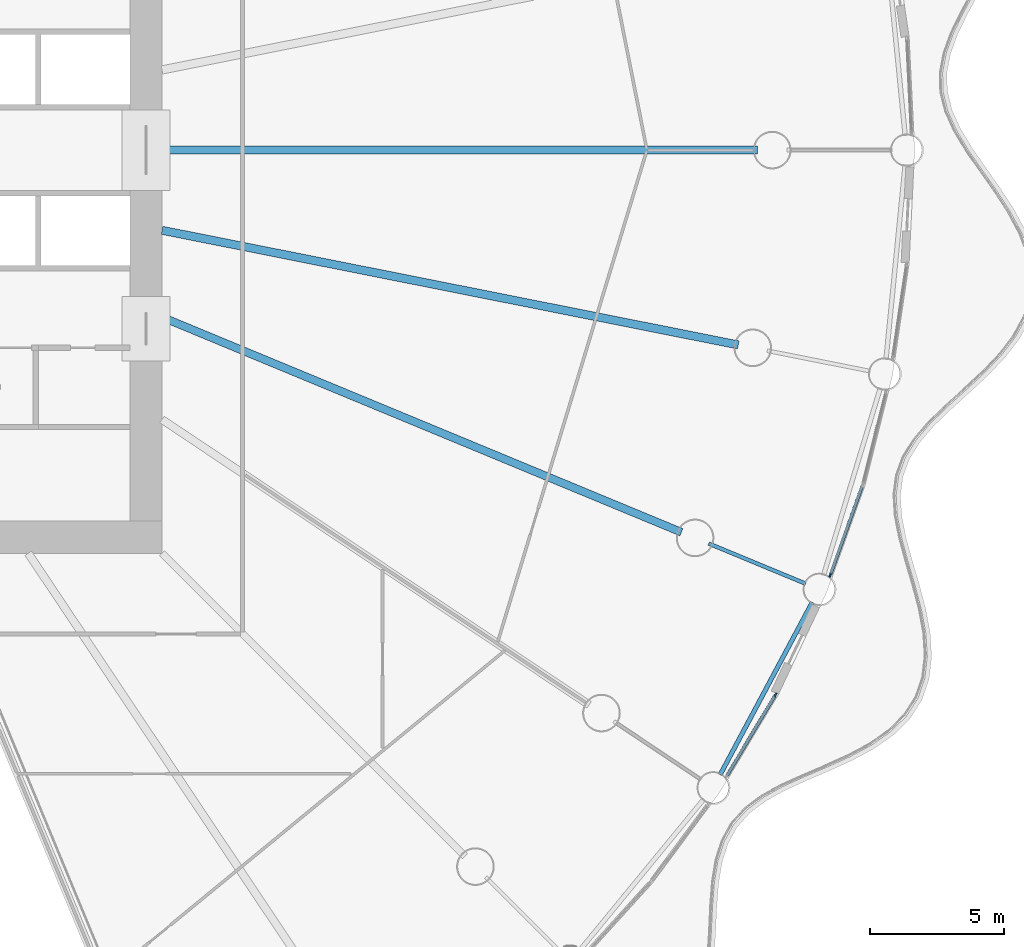
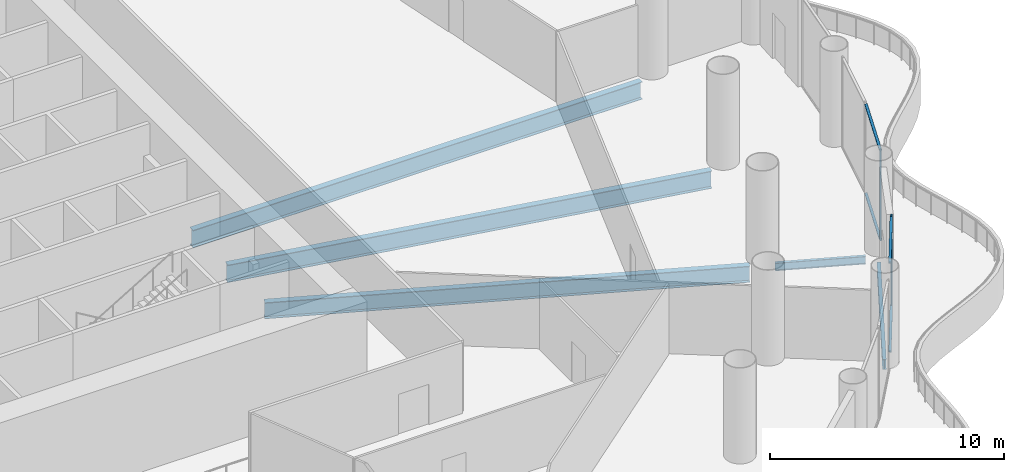
# One storey, part 12 of 36: 6 members, 5 beams, 2 elements without a shape of their own.
"""IFC4 building model written with IfcOpenShell, lengths in metres."""

from ifc_helpers import new_model, si_unit, direction, frame, origin, origin_2d, place, context, subcontext, project, spatial, rectangle, i_section, extrude, material, material_profile, profile_set, type_object, element, aggregate, save


model = new_model("IFC4")

# Units and contexts
model_context = context("Model", 3, precision=1e-05, world=origin(), true_north=direction((0.0, 1.0)))
body_context = subcontext(model_context, "Body", "Model", "MODEL_VIEW")
ifc_project = project(units=[si_unit("LENGTHUNIT", "METRE"), si_unit("AREAUNIT", "SQUARE_METRE"), si_unit("VOLUMEUNIT", "CUBIC_METRE"), si_unit("PLANEANGLEUNIT", "RADIAN"), si_unit("MASSUNIT", "GRAM", prefix="KILO")], contexts=[model_context])

# Site, building, storey
site_placement = place(None, origin())
site = spatial("IfcSite", under=ifc_project, at=site_placement, CompositionType="ELEMENT")
building_placement = place(site_placement, origin())
building = spatial("IfcBuilding", under=site, at=building_placement, Name="Corvane Civic Tower", CompositionType="ELEMENT")
storey_placement = place(building_placement, frame((0.0, 0.0, 17.0)))
storey = spatial("IfcBuildingStorey", under=building, at=storey_placement, Name="L03", CompositionType="ELEMENT", Elevation=17.0)

# Beams
ifc_material_1 = material(Name="Steel ASTM A992 Gr 50", Category="steel")
ifc_material_profile_1 = material_profile(ifc_material_1, i_section(OverallWidth=0.165771484375, OverallDepth=0.5283203125, WebThickness=0.009765625, FlangeThickness=0.013671875, at=origin_2d()), Name="W21X50")
ifc_profile_set_1 = profile_set([ifc_material_profile_1], Name="Steel ASTM A992 Gr 50")
beam_type_1 = type_object("IfcBeamType", Name="EDGE BEAM W21X50", PredefinedType="BEAM", material=ifc_profile_set_1)
beam_1_placement = place(storey_placement, frame((39.1904296875, -16.82568359375, -0.564208984375), z_axis=(-0.471412394598, -0.881912894916, 0.0), x_axis=(0.881912894916, -0.471412394598, 0.0)))
element("IfcBeam", 1, at=beam_1_placement, inside=storey, type_object=beam_type_1, Name="BM-L03-E11", PredefinedType="BEAM", context=body_context, shape_type="SweptSolid", body=[
    extrude(i_section(OverallWidth=0.165771484375, OverallDepth=0.5283203125, WebThickness=0.009765625, FlangeThickness=0.013671875, at=origin_2d()), origin(), (0.0, 0.0, 1.0), 7.270751953125),
])
ifc_material_2 = material(Name="Steel ASTM A992 Gr 50", Category="steel")
ifc_material_profile_2 = material_profile(ifc_material_2, i_section(OverallWidth=0.140380859375, OverallDepth=0.40380859375, WebThickness=0.007080078125, FlangeThickness=0.01123046875, at=origin_2d()), Name="W16X31")
ifc_profile_set_2 = profile_set([ifc_material_profile_2], Name="Steel ASTM A992 Gr 50")
beam_type_2 = type_object("IfcBeamType", Name="FLOOR GIRDER W16X31", PredefinedType="BEAM", material=ifc_profile_set_2)
beam_2_placement = place(storey_placement, frame((35.33837890625, -14.6376953125, -0.501953125), z_axis=(0.923878730261, -0.382685369162, 0.0), x_axis=(0.382685369162, 0.923878730261, 0.0)))
element("IfcBeam", 2, at=beam_2_placement, inside=storey, type_object=beam_type_2, Name="BM-L03-G11b", PredefinedType="BEAM", context=body_context, shape_type="SweptSolid", body=[
    extrude(i_section(OverallWidth=0.140380859375, OverallDepth=0.40380859375, WebThickness=0.007080078125, FlangeThickness=0.01123046875, at=origin_2d()), origin(), (0.0, 0.0, 1.0), 3.89990234375),
])
ifc_material_3 = material(Name="Steel ASTM A992 Gr 50", Category="steel")
ifc_material_profile_3 = material_profile(ifc_material_3, i_section(OverallWidth=0.2919921875, OverallDepth=0.845703125, WebThickness=0.015380859375, FlangeThickness=0.0244140625, at=origin_2d()), Name="W33X141")
ifc_profile_set_3 = profile_set([ifc_material_profile_3], Name="Steel ASTM A992 Gr 50")
beam_type_3 = type_object("IfcBeamType", Name="FLOOR GIRDER W33X141", PredefinedType="BEAM", material=ifc_profile_set_3)
beam_3_placement = place(storey_placement, frame((15.0, -6.213134765625, -0.722900390625), z_axis=(0.923875834355, -0.382692360381, 0.0), x_axis=(0.382692360381, 0.923875834355, 0.0)))
element("IfcBeam", 3, at=beam_3_placement, inside=storey, type_object=beam_type_3, Name="BM-L03-G11", PredefinedType="BEAM", context=body_context, shape_type="SweptSolid", body=[
    extrude(i_section(OverallWidth=0.2919921875, OverallDepth=0.845703125, WebThickness=0.015380859375, FlangeThickness=0.0244140625, at=origin_2d()), origin(), (0.0, 0.0, 1.0), 20.9140625),
])
ifc_material_4 = material(Name="Steel ASTM A992 Gr 50", Category="steel")
ifc_material_profile_4 = material_profile(ifc_material_4, i_section(OverallWidth=0.3046875, OverallDepth=0.911865234375, WebThickness=0.015869140625, FlangeThickness=0.02392578125, at=origin_2d()), Name="W36X150")
ifc_profile_set_4 = profile_set([ifc_material_profile_4], Name="Steel ASTM A992 Gr 50")
beam_type_4 = type_object("IfcBeamType", Name="FLOOR GIRDER W36X150", PredefinedType="BEAM", material=ifc_profile_set_4)
beam_4_placement = place(storey_placement, frame((15.0, 0.0, -0.755859375), z_axis=(1.0, 0.0, 0.0), x_axis=(0.0, 1.0, 0.0)))
element("IfcBeam", 4, at=beam_4_placement, inside=storey, type_object=beam_type_4, Name="BM-L03-G09", PredefinedType="BEAM", context=body_context, shape_type="SweptSolid", body=[
    extrude(i_section(OverallWidth=0.3046875, OverallDepth=0.911865234375, WebThickness=0.015869140625, FlangeThickness=0.02392578125, at=origin_2d()), origin(), (0.0, 0.0, 1.0), 22.14990234375),
])
beam_5_placement = place(storey_placement, frame((15.0, -2.983642578125, -0.755859375), z_axis=(0.980785499679, -0.195089219638, 0.0), x_axis=(0.195089219638, 0.980785499679, 0.0)))
element("IfcBeam", 5, at=beam_5_placement, inside=storey, type_object=beam_type_4, Name="BM-L03-G10", PredefinedType="BEAM", context=body_context, shape_type="SweptSolid", body=[
    extrude(i_section(OverallWidth=0.3046875, OverallDepth=0.911865234375, WebThickness=0.015869140625, FlangeThickness=0.02392578125, at=origin_2d()), origin(), (0.0, 0.0, 1.0), 21.856201171875),
])

# Curtain wall, member
ifc_material_5 = material(Name="Aluminium and glass", Category="aluminium")
curtain_wall_type = type_object("IfcCurtainWallType", Name="PODIUM-CW-P-RUN", PredefinedType="NOTDEFINED", material=ifc_material_5)
curtain_wall_1_placement = place(storey_placement, origin())
curtain_wall_1 = element("IfcCurtainWall", 6, at=curtain_wall_1_placement, inside=storey, type_object=curtain_wall_type, Name="PODI run L03-drum-10B", PredefinedType="NOTDEFINED")
ifc_material_6 = material(Name="Anodised aluminium bronze", Category="aluminium")
ifc_material_profile_5 = material_profile(ifc_material_6, rectangle(XDim=0.06005859375, YDim=0.159912109375, at=origin_2d()), Name="AL 60x160")
ifc_profile_set_5 = profile_set([ifc_material_profile_5], Name="Anodised aluminium bronze")
member_type_1 = type_object("IfcMemberType", Name="PODIUM-CWP-MULLION-60x160", PredefinedType="MULLION", material=ifc_profile_set_5)
member_1_placement = place(storey_placement, frame((39.861083984375, -15.81298828125, 0.0), z_axis=(0.0, 0.0, 1.0), x_axis=(0.941533802561, -0.336918534123, 0.0)))
member_1 = element("IfcMember", 7, at=member_1_placement, type_object=member_type_1, Name="CW-P mullion 2", PredefinedType="MULLION", context=body_context, shape_type="SweptSolid", body=[
    extrude(rectangle(XDim=0.06005859375, YDim=0.159912109375, at=origin_2d()), origin(), (0.0, 0.0, 1.0), 4.699951171875),
])

curtain_wall_2_placement = place(storey_placement, origin())
curtain_wall_2 = element("IfcCurtainWall", 8, at=curtain_wall_2_placement, inside=storey, type_object=curtain_wall_type, Name="PODI run L03-drum-11B", PredefinedType="NOTDEFINED")
member_2_placement = place(storey_placement, frame((37.819580078125, -20.2666015625, 0.0), z_axis=(0.0, 0.0, 1.0), x_axis=(0.857719609779, -0.514117759857, 0.0)))
member_2 = element("IfcMember", 9, at=member_2_placement, type_object=member_type_1, Name="CW-P mullion 1", PredefinedType="MULLION", context=body_context, shape_type="SweptSolid", body=[
    extrude(rectangle(XDim=0.06005859375, YDim=0.159912109375, at=origin_2d()), origin(), (0.0, 0.0, 1.0), 4.699951171875),
])

# Member
ifc_material_7 = material(Name="Anodised aluminium bronze", Category="aluminium")
ifc_material_profile_6 = material_profile(ifc_material_7, rectangle(XDim=0.1201171875, YDim=0.06005859375, at=origin_2d()), Name="AL 120x60")
ifc_profile_set_6 = profile_set([ifc_material_profile_6], Name="Anodised aluminium bronze")
member_type_2 = type_object("IfcMemberType", Name="PODIUM-CWP-TRANSOM-60x120", PredefinedType="USERDEFINED", material=ifc_profile_set_6)
member_3_placement = place(storey_placement, frame((41.036865234375, -12.527099609375, 0.030029296875), z_axis=(-0.336939787896, -0.941526196838, 0.0), x_axis=(0.941526196838, -0.336939787896, 0.0)))
member_3 = element("IfcMember", 10, at=member_3_placement, type_object=member_type_2, Name="CW-P transom 1.1", ObjectType="TRANSOM", PredefinedType="USERDEFINED", context=body_context, shape_type="SweptSolid", body=[
    extrude(rectangle(XDim=0.1201171875, YDim=0.06005859375, at=origin_2d()), origin(), (0.0, 0.0, 1.0), 3.4599609375),
])

member_4_placement = place(storey_placement, frame((41.036865234375, -12.527099609375, 4.669921875), z_axis=(-0.336939787896, -0.941526196838, 0.0), x_axis=(0.941526196838, -0.336939787896, 0.0)))
member_4 = element("IfcMember", 11, at=member_4_placement, type_object=member_type_2, Name="CW-P transom 1.2", ObjectType="TRANSOM", PredefinedType="USERDEFINED", context=body_context, shape_type="SweptSolid", body=[
    extrude(rectangle(XDim=0.1201171875, YDim=0.06005859375, at=origin_2d()), origin(), (0.0, 0.0, 1.0), 3.4599609375),
])

aggregate(curtain_wall_1, [member_1, member_3, member_4])

member_5_placement = place(storey_placement, frame((37.80419921875, -20.29248046875, 0.030029296875), z_axis=(-0.514111713099, -0.857723234181, 0.0), x_axis=(0.857723234181, -0.514111713099, 0.0)))
member_5 = element("IfcMember", 12, at=member_5_placement, type_object=member_type_2, Name="CW-P transom 1.1", ObjectType="TRANSOM", PredefinedType="USERDEFINED", context=body_context, shape_type="SweptSolid", body=[
    extrude(rectangle(XDim=0.1201171875, YDim=0.06005859375, at=origin_2d()), origin(), (0.0, 0.0, 1.0), 3.45947265625),
])

member_6_placement = place(storey_placement, frame((37.80419921875, -20.29248046875, 4.669921875), z_axis=(-0.514111713099, -0.857723234181, 0.0), x_axis=(0.857723234181, -0.514111713099, 0.0)))
member_6 = element("IfcMember", 13, at=member_6_placement, type_object=member_type_2, Name="CW-P transom 1.2", ObjectType="TRANSOM", PredefinedType="USERDEFINED", context=body_context, shape_type="SweptSolid", body=[
    extrude(rectangle(XDim=0.1201171875, YDim=0.06005859375, at=origin_2d()), origin(), (0.0, 0.0, 1.0), 3.45947265625),
])

aggregate(curtain_wall_2, [member_2, member_5, member_6])

save(model, "model.ifc")
